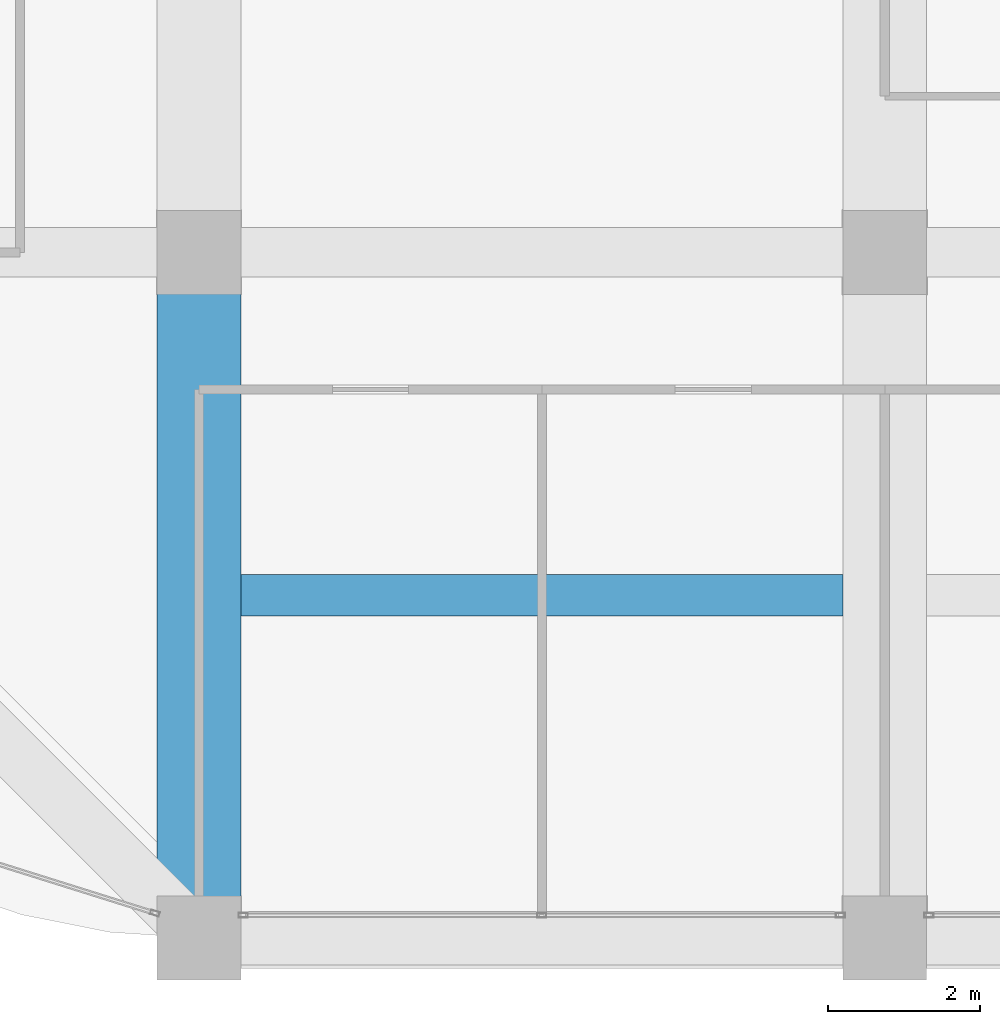
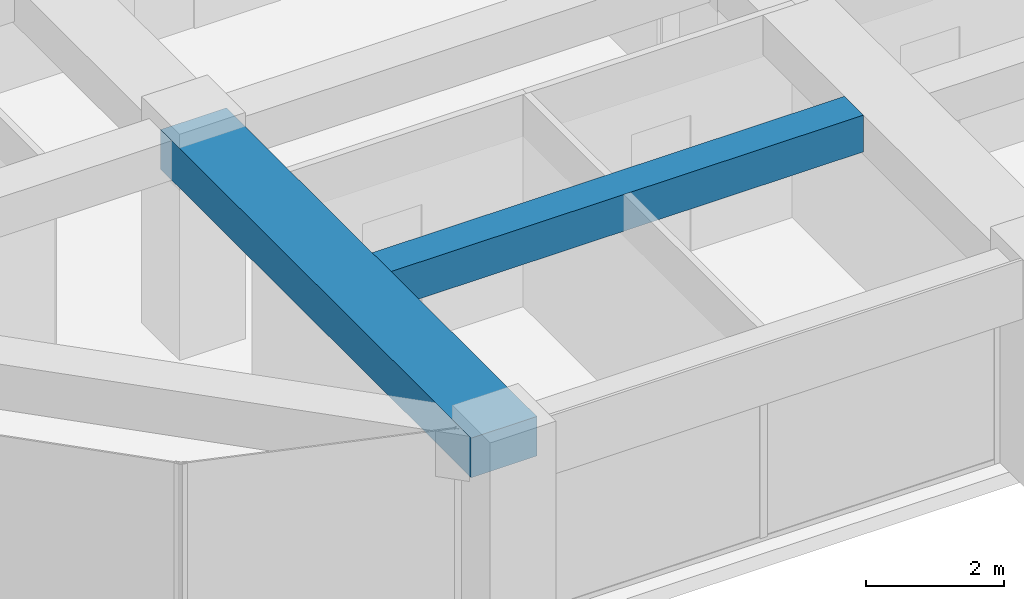
# One storey, part 5 of 44: 2 beams.
"""IFC4 building model written with IfcOpenShell, lengths in metres."""

from ifc_helpers import new_model, si_unit, direction, frame, origin, origin_2d, place, context, subcontext, project, spatial, rectangle, extrude, material, material_profile, profile_set, type_object, element, save


model = new_model("IFC4")

# Units and contexts
model_context = context("Model", 3, precision=1e-05, world=origin(), true_north=direction((0.0, 1.0)))
body_context = subcontext(model_context, "Body", "Model", "MODEL_VIEW")
ifc_project = project(units=[si_unit("LENGTHUNIT", "METRE"), si_unit("AREAUNIT", "SQUARE_METRE"), si_unit("VOLUMEUNIT", "CUBIC_METRE"), si_unit("PLANEANGLEUNIT", "RADIAN"), si_unit("MASSUNIT", "GRAM", prefix="KILO")], contexts=[model_context])

# Site, building, storey
site_placement = place(None, origin())
site = spatial("IfcSite", under=ifc_project, at=site_placement, CompositionType="ELEMENT")
building_placement = place(site_placement, origin())
building = spatial("IfcBuilding", under=site, at=building_placement, Name="Zorevar Civic Tower", CompositionType="ELEMENT")
storey_placement = place(building_placement, frame((0.0, 0.0, 283.39990234375)))
storey = spatial("IfcBuildingStorey", under=building, at=storey_placement, Name="L69", CompositionType="ELEMENT", Elevation=283.39990234375)

# Beams
ifc_material_1 = material(Name="Concrete C50/60", Category="concrete")
ifc_material_profile_1 = material_profile(ifc_material_1, rectangle(XDim=1.10009765625, YDim=0.699951171875, at=origin_2d()), Name="RC 1100x700")
ifc_profile_set_1 = profile_set([ifc_material_profile_1], Name="Concrete C50/60")
beam_type_1 = type_object("IfcBeamType", Name="Beam RC 1100x700", PredefinedType="BEAM", material=ifc_profile_set_1)
beam_1_placement = place(storey_placement, frame((18.0, 0.0, 3.400146484375), z_axis=(0.0, 1.0, 0.0), x_axis=(-1.0, 0.0, 0.0)))
element("IfcBeam", 1, at=beam_1_placement, inside=storey, type_object=beam_type_1, Name="Girder L70", PredefinedType="BEAM", context=body_context, shape_type="SweptSolid", body=[
    extrude(rectangle(XDim=1.10009765625, YDim=0.699951171875, at=origin_2d()), origin(), (0.0, 0.0, 1.0), 9.0),
])
ifc_material_2 = material(Name="Concrete C50/60", Category="concrete")
ifc_material_profile_2 = material_profile(ifc_material_2, rectangle(XDim=0.550048828125, YDim=0.64990234375, at=origin_2d()), Name="RC 550x650")
ifc_profile_set_2 = profile_set([ifc_material_profile_2], Name="Concrete C50/60")
beam_type_2 = type_object("IfcBeamType", Name="Beam RC 550x650", PredefinedType="BEAM", material=ifc_profile_set_2)
beam_2_placement = place(storey_placement, frame((18.550048828125, 4.5, 3.425048828125), z_axis=(1.0, 0.0, 0.0), x_axis=(0.0, 1.0, 0.0)))
element("IfcBeam", 2, at=beam_2_placement, inside=storey, type_object=beam_type_2, Name="Secondary beam L70", PredefinedType="BEAM", context=body_context, shape_type="SweptSolid", body=[
    extrude(rectangle(XDim=0.550048828125, YDim=0.64990234375, at=origin_2d()), origin(), (0.0, 0.0, 1.0), 7.89990234375),
])

save(model, "model.ifc")
